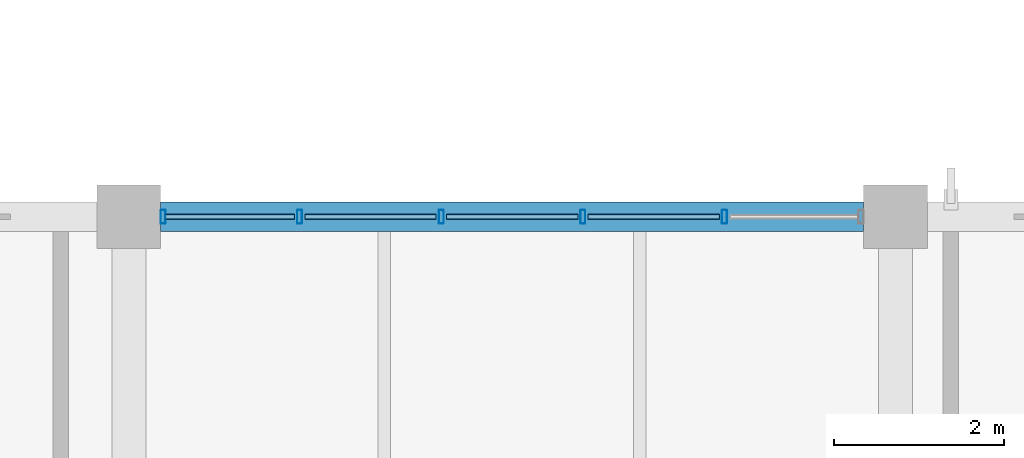
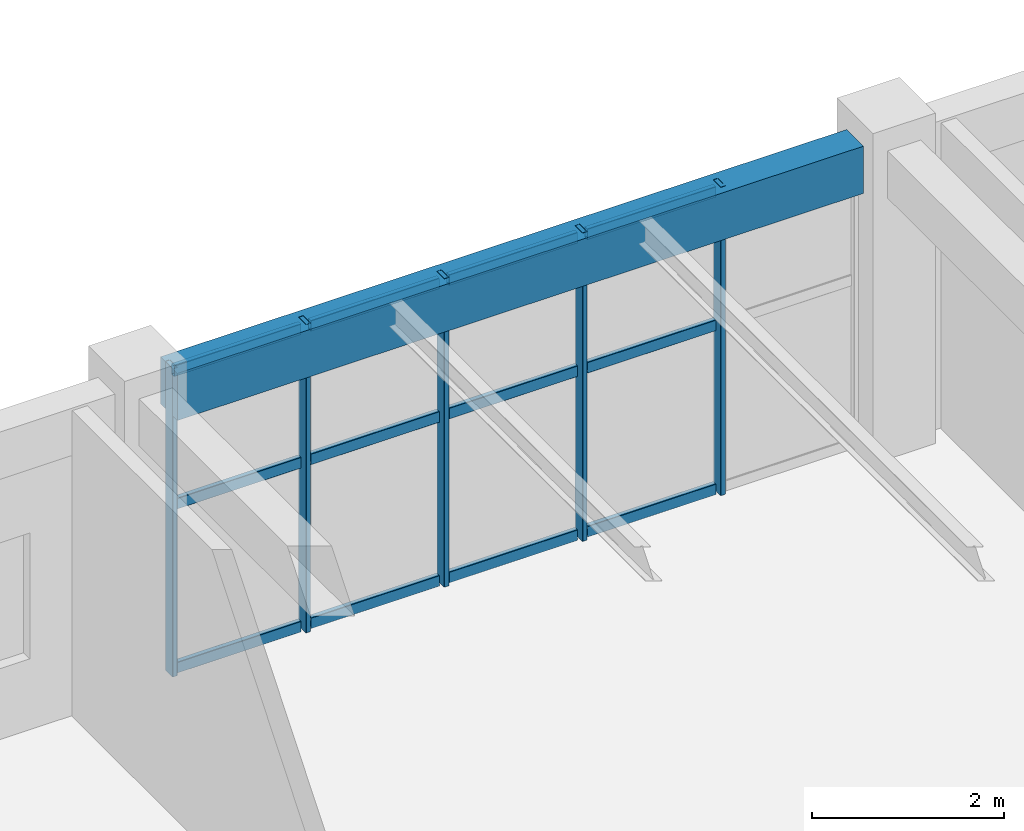
# One storey, part 112 of 148: 17 members, 1 beam, 1 element without a shape of its own.
"""IFC4 building model written with IfcOpenShell, lengths in metres."""

from ifc_helpers import new_model, si_unit, derived_unit, direction, frame, origin, origin_2d, place, context, subcontext, project, spatial, rectangle, hollow_rectangle, extrude, material, material_profile, profile_set, type_object, element, aggregate, save


model = new_model("IFC4")

# Units and contexts
model_context = context("Model", 3, precision=1e-05, world=origin(), true_north=direction((0.0, 1.0)))
body_context = subcontext(model_context, "Body", "Model", "MODEL_VIEW")
ifc_project = project(units=[si_unit("LENGTHUNIT", "METRE"), si_unit("AREAUNIT", "SQUARE_METRE"), si_unit("VOLUMEUNIT", "CUBIC_METRE"), si_unit("PLANEANGLEUNIT", "RADIAN"), si_unit("MASSUNIT", "GRAM", prefix="KILO"), derived_unit("THERMALTRANSMITTANCEUNIT", [(si_unit("MASSUNIT", "GRAM", prefix="KILO"), 1), (si_unit("TIMEUNIT", "SECOND"), -3), (si_unit("THERMODYNAMICTEMPERATUREUNIT", "KELVIN"), -1)])], contexts=[model_context])

# Site, building, storey
site_placement = place(None, origin())
site = spatial("IfcSite", under=ifc_project, at=site_placement, CompositionType="ELEMENT")
building_placement = place(site_placement, origin())
building = spatial("IfcBuilding", under=site, at=building_placement, Name="Zhenchuan Archway Interchange", CompositionType="ELEMENT")
storey_placement = place(building_placement, frame((0.0, 0.0, 10.199951171875)))
storey = spatial("IfcBuildingStorey", under=building, at=storey_placement, Name="L02", CompositionType="ELEMENT", Elevation=10.199951171875)

# Curtain wall, members
ifc_material_1 = material(Name="Anodised Aluminium", Category="aluminium")
curtain_wall_type = type_object("IfcCurtainWallType", Name="CW_UNIT_3", PredefinedType="NOTDEFINED", material=ifc_material_1)
curtain_wall_placement = place(storey_placement, origin())
curtain_wall = element("IfcCurtainWall", 1, at=curtain_wall_placement, inside=storey, type_object=curtain_wall_type, Name="Unitised curtain wall CW:L02:150", PredefinedType="NOTDEFINED")
ifc_material_profile_1 = material_profile(ifc_material_1, hollow_rectangle(XDim=0.06005859375, YDim=0.159912109375, WallThickness=0.00390625, InnerFilletRadius=0.00390625, OuterFilletRadius=0.008056640625, at=origin_2d()), Name="ALU 160x60x4")
ifc_profile_set_1 = profile_set([ifc_material_profile_1], Name="Anodised Aluminium")
member_type_1 = type_object("IfcMemberType", Name="CW_MUL_150", PredefinedType="MULLION", material=ifc_profile_set_1)
member_1_placement = place(storey_placement, frame((153.403076171875, 104.0, 0.0), z_axis=(0.0, 0.0, 1.0), x_axis=(1.0, 0.0, 0.0)))
member_1 = element("IfcMember", 2, at=member_1_placement, type_object=member_type_1, Name="CW:L02:150 mullion 0", PredefinedType="MULLION", context=body_context, shape_type="SweptSolid", body=[
    extrude(hollow_rectangle(XDim=0.06005859375, YDim=0.159912109375, WallThickness=0.00390625, InnerFilletRadius=0.00390625, OuterFilletRadius=0.008056640625, at=origin_2d()), origin(), (0.0, 0.0, 1.0), 3.920166015625),
])
member_2_placement = place(storey_placement, frame((155.005859375, 104.0, 0.0), z_axis=(0.0, 0.0, 1.0), x_axis=(1.0, 0.0, 0.0)))
member_2 = element("IfcMember", 3, at=member_2_placement, type_object=member_type_1, Name="CW:L02:150 mullion 1", PredefinedType="MULLION", context=body_context, shape_type="SweptSolid", body=[
    extrude(hollow_rectangle(XDim=0.06005859375, YDim=0.159912109375, WallThickness=0.00390625, InnerFilletRadius=0.00390625, OuterFilletRadius=0.008056640625, at=origin_2d()), origin(), (0.0, 0.0, 1.0), 3.920166015625),
])
member_3_placement = place(storey_placement, frame((156.668701171875, 104.0, 0.0), z_axis=(0.0, 0.0, 1.0), x_axis=(1.0, 0.0, 0.0)))
member_3 = element("IfcMember", 4, at=member_3_placement, type_object=member_type_1, Name="CW:L02:150 mullion 2", PredefinedType="MULLION", context=body_context, shape_type="SweptSolid", body=[
    extrude(hollow_rectangle(XDim=0.06005859375, YDim=0.159912109375, WallThickness=0.00390625, InnerFilletRadius=0.00390625, OuterFilletRadius=0.008056640625, at=origin_2d()), origin(), (0.0, 0.0, 1.0), 3.920166015625),
])
member_4_placement = place(storey_placement, frame((158.331298828125, 104.0, 0.0), z_axis=(0.0, 0.0, 1.0), x_axis=(1.0, 0.0, 0.0)))
member_4 = element("IfcMember", 5, at=member_4_placement, type_object=member_type_1, Name="CW:L02:150 mullion 3", PredefinedType="MULLION", context=body_context, shape_type="SweptSolid", body=[
    extrude(hollow_rectangle(XDim=0.06005859375, YDim=0.159912109375, WallThickness=0.00390625, InnerFilletRadius=0.00390625, OuterFilletRadius=0.008056640625, at=origin_2d()), origin(), (0.0, 0.0, 1.0), 3.920166015625),
])
member_5_placement = place(storey_placement, frame((159.994140625, 104.0, 0.0), z_axis=(0.0, 0.0, 1.0), x_axis=(1.0, 0.0, 0.0)))
member_5 = element("IfcMember", 6, at=member_5_placement, type_object=member_type_1, Name="CW:L02:150 mullion 4", PredefinedType="MULLION", context=body_context, shape_type="SweptSolid", body=[
    extrude(hollow_rectangle(XDim=0.06005859375, YDim=0.159912109375, WallThickness=0.00390625, InnerFilletRadius=0.00390625, OuterFilletRadius=0.008056640625, at=origin_2d()), origin(), (0.0, 0.0, 1.0), 3.920166015625),
])
ifc_material_profile_2 = material_profile(ifc_material_1, hollow_rectangle(XDim=0.06005859375, YDim=0.139892578125, WallThickness=0.00341796875, InnerFilletRadius=0.00341796875, OuterFilletRadius=0.007080078125, at=origin_2d()), Name="ALU 140x60x3.5")
ifc_profile_set_2 = profile_set([ifc_material_profile_2], Name="Anodised Aluminium")
member_type_2 = type_object("IfcMemberType", Name="CW_TRN_140", PredefinedType="USERDEFINED", material=ifc_profile_set_2)
member_6_placement = place(storey_placement, frame((153.423095703125, 104.0, 0.06005859375), z_axis=(1.0, 0.0, 0.0), x_axis=(0.0, 1.0, 0.0)))
member_6 = element("IfcMember", 7, at=member_6_placement, type_object=member_type_2, Name="CW:L02:150 transom 0-1", ObjectType="TRANSOM", PredefinedType="USERDEFINED", context=body_context, shape_type="SweptSolid", body=[
    extrude(hollow_rectangle(XDim=0.06005859375, YDim=0.139892578125, WallThickness=0.00341796875, InnerFilletRadius=0.00341796875, OuterFilletRadius=0.007080078125, at=origin_2d()), origin(), (0.0, 0.0, 1.0), 1.522705078125),
])
member_7_placement = place(storey_placement, frame((153.423095703125, 104.0, 2.14501953125), z_axis=(1.0, 0.0, 0.0), x_axis=(0.0, 1.0, 0.0)))
member_7 = element("IfcMember", 8, at=member_7_placement, type_object=member_type_2, Name="CW:L02:150 transom 0-2", ObjectType="TRANSOM", PredefinedType="USERDEFINED", context=body_context, shape_type="SweptSolid", body=[
    extrude(hollow_rectangle(XDim=0.06005859375, YDim=0.139892578125, WallThickness=0.00341796875, InnerFilletRadius=0.00341796875, OuterFilletRadius=0.007080078125, at=origin_2d()), origin(), (0.0, 0.0, 1.0), 1.522705078125),
])
member_8_placement = place(storey_placement, frame((153.423095703125, 104.0, 3.840087890625), z_axis=(1.0, 0.0, 0.0), x_axis=(0.0, 1.0, 0.0)))
member_8 = element("IfcMember", 9, at=member_8_placement, type_object=member_type_2, Name="CW:L02:150 transom 0-3", ObjectType="TRANSOM", PredefinedType="USERDEFINED", context=body_context, shape_type="SweptSolid", body=[
    extrude(hollow_rectangle(XDim=0.06005859375, YDim=0.139892578125, WallThickness=0.00341796875, InnerFilletRadius=0.00341796875, OuterFilletRadius=0.007080078125, at=origin_2d()), origin(), (0.0, 0.0, 1.0), 1.522705078125),
])
member_9_placement = place(storey_placement, frame((155.06591796875, 104.0, 0.06005859375), z_axis=(1.0, 0.0, 0.0), x_axis=(0.0, 1.0, 0.0)))
member_9 = element("IfcMember", 10, at=member_9_placement, type_object=member_type_2, Name="CW:L02:150 transom 1-1", ObjectType="TRANSOM", PredefinedType="USERDEFINED", context=body_context, shape_type="SweptSolid", body=[
    extrude(hollow_rectangle(XDim=0.06005859375, YDim=0.139892578125, WallThickness=0.00341796875, InnerFilletRadius=0.00341796875, OuterFilletRadius=0.007080078125, at=origin_2d()), origin(), (0.0, 0.0, 1.0), 1.542724609375),
])
member_10_placement = place(storey_placement, frame((155.06591796875, 104.0, 2.14501953125), z_axis=(1.0, 0.0, 0.0), x_axis=(0.0, 1.0, 0.0)))
member_10 = element("IfcMember", 11, at=member_10_placement, type_object=member_type_2, Name="CW:L02:150 transom 1-2", ObjectType="TRANSOM", PredefinedType="USERDEFINED", context=body_context, shape_type="SweptSolid", body=[
    extrude(hollow_rectangle(XDim=0.06005859375, YDim=0.139892578125, WallThickness=0.00341796875, InnerFilletRadius=0.00341796875, OuterFilletRadius=0.007080078125, at=origin_2d()), origin(), (0.0, 0.0, 1.0), 1.542724609375),
])
member_11_placement = place(storey_placement, frame((155.06591796875, 104.0, 3.840087890625), z_axis=(1.0, 0.0, 0.0), x_axis=(0.0, 1.0, 0.0)))
member_11 = element("IfcMember", 12, at=member_11_placement, type_object=member_type_2, Name="CW:L02:150 transom 1-3", ObjectType="TRANSOM", PredefinedType="USERDEFINED", context=body_context, shape_type="SweptSolid", body=[
    extrude(hollow_rectangle(XDim=0.06005859375, YDim=0.139892578125, WallThickness=0.00341796875, InnerFilletRadius=0.00341796875, OuterFilletRadius=0.007080078125, at=origin_2d()), origin(), (0.0, 0.0, 1.0), 1.542724609375),
])
member_12_placement = place(storey_placement, frame((156.728515625, 104.0, 0.06005859375), z_axis=(1.0, 0.0, 0.0), x_axis=(0.0, 1.0, 0.0)))
member_12 = element("IfcMember", 13, at=member_12_placement, type_object=member_type_2, Name="CW:L02:150 transom 2-1", ObjectType="TRANSOM", PredefinedType="USERDEFINED", context=body_context, shape_type="SweptSolid", body=[
    extrude(hollow_rectangle(XDim=0.06005859375, YDim=0.139892578125, WallThickness=0.00341796875, InnerFilletRadius=0.00341796875, OuterFilletRadius=0.007080078125, at=origin_2d()), origin(), (0.0, 0.0, 1.0), 1.54296875),
])
member_13_placement = place(storey_placement, frame((156.728515625, 104.0, 2.14501953125), z_axis=(1.0, 0.0, 0.0), x_axis=(0.0, 1.0, 0.0)))
member_13 = element("IfcMember", 14, at=member_13_placement, type_object=member_type_2, Name="CW:L02:150 transom 2-2", ObjectType="TRANSOM", PredefinedType="USERDEFINED", context=body_context, shape_type="SweptSolid", body=[
    extrude(hollow_rectangle(XDim=0.06005859375, YDim=0.139892578125, WallThickness=0.00341796875, InnerFilletRadius=0.00341796875, OuterFilletRadius=0.007080078125, at=origin_2d()), origin(), (0.0, 0.0, 1.0), 1.54296875),
])
member_14_placement = place(storey_placement, frame((156.728515625, 104.0, 3.840087890625), z_axis=(1.0, 0.0, 0.0), x_axis=(0.0, 1.0, 0.0)))
member_14 = element("IfcMember", 15, at=member_14_placement, type_object=member_type_2, Name="CW:L02:150 transom 2-3", ObjectType="TRANSOM", PredefinedType="USERDEFINED", context=body_context, shape_type="SweptSolid", body=[
    extrude(hollow_rectangle(XDim=0.06005859375, YDim=0.139892578125, WallThickness=0.00341796875, InnerFilletRadius=0.00341796875, OuterFilletRadius=0.007080078125, at=origin_2d()), origin(), (0.0, 0.0, 1.0), 1.54296875),
])
member_15_placement = place(storey_placement, frame((158.391357421875, 104.0, 0.06005859375), z_axis=(1.0, 0.0, 0.0), x_axis=(0.0, 1.0, 0.0)))
member_15 = element("IfcMember", 16, at=member_15_placement, type_object=member_type_2, Name="CW:L02:150 transom 3-1", ObjectType="TRANSOM", PredefinedType="USERDEFINED", context=body_context, shape_type="SweptSolid", body=[
    extrude(hollow_rectangle(XDim=0.06005859375, YDim=0.139892578125, WallThickness=0.00341796875, InnerFilletRadius=0.00341796875, OuterFilletRadius=0.007080078125, at=origin_2d()), origin(), (0.0, 0.0, 1.0), 1.542724609375),
])
member_16_placement = place(storey_placement, frame((158.391357421875, 104.0, 2.14501953125), z_axis=(1.0, 0.0, 0.0), x_axis=(0.0, 1.0, 0.0)))
member_16 = element("IfcMember", 17, at=member_16_placement, type_object=member_type_2, Name="CW:L02:150 transom 3-2", ObjectType="TRANSOM", PredefinedType="USERDEFINED", context=body_context, shape_type="SweptSolid", body=[
    extrude(hollow_rectangle(XDim=0.06005859375, YDim=0.139892578125, WallThickness=0.00341796875, InnerFilletRadius=0.00341796875, OuterFilletRadius=0.007080078125, at=origin_2d()), origin(), (0.0, 0.0, 1.0), 1.542724609375),
])
member_17_placement = place(storey_placement, frame((158.391357421875, 104.0, 3.840087890625), z_axis=(1.0, 0.0, 0.0), x_axis=(0.0, 1.0, 0.0)))
member_17 = element("IfcMember", 18, at=member_17_placement, type_object=member_type_2, Name="CW:L02:150 transom 3-3", ObjectType="TRANSOM", PredefinedType="USERDEFINED", context=body_context, shape_type="SweptSolid", body=[
    extrude(hollow_rectangle(XDim=0.06005859375, YDim=0.139892578125, WallThickness=0.00341796875, InnerFilletRadius=0.00341796875, OuterFilletRadius=0.007080078125, at=origin_2d()), origin(), (0.0, 0.0, 1.0), 1.542724609375),
])
aggregate(curtain_wall, [member_1, member_2, member_3, member_4, member_5, member_6, member_7, member_8, member_9, member_10, member_11, member_12, member_13, member_14, member_15, member_16, member_17])

# Beam
ifc_material_2 = material(Name="Concrete C40", Category="concrete")
ifc_material_profile_3 = material_profile(ifc_material_2, rectangle(XDim=0.35009765625, YDim=0.60009765625, at=origin_2d()), Name="RC 350x600")
ifc_profile_set_3 = profile_set([ifc_material_profile_3], Name="Concrete C40")
beam_type = type_object("IfcBeamType", Name="SP_RC_350x600", PredefinedType="SPANDREL", material=ifc_profile_set_3)
beam_placement = place(storey_placement, frame((153.375, 104.0, 3.6201171875), z_axis=(1.0, 0.0, 0.0), x_axis=(0.0, 1.0, 0.0)))
element("IfcBeam", 19, at=beam_placement, inside=storey, type_object=beam_type, Name="Beam O:18-19 (L02)", PredefinedType="SPANDREL", context=body_context, shape_type="SweptSolid", body=[
    extrude(rectangle(XDim=0.35009765625, YDim=0.60009765625, at=origin_2d()), origin(), (0.0, 0.0, 1.0), 8.25),
])

save(model, "model.ifc")
